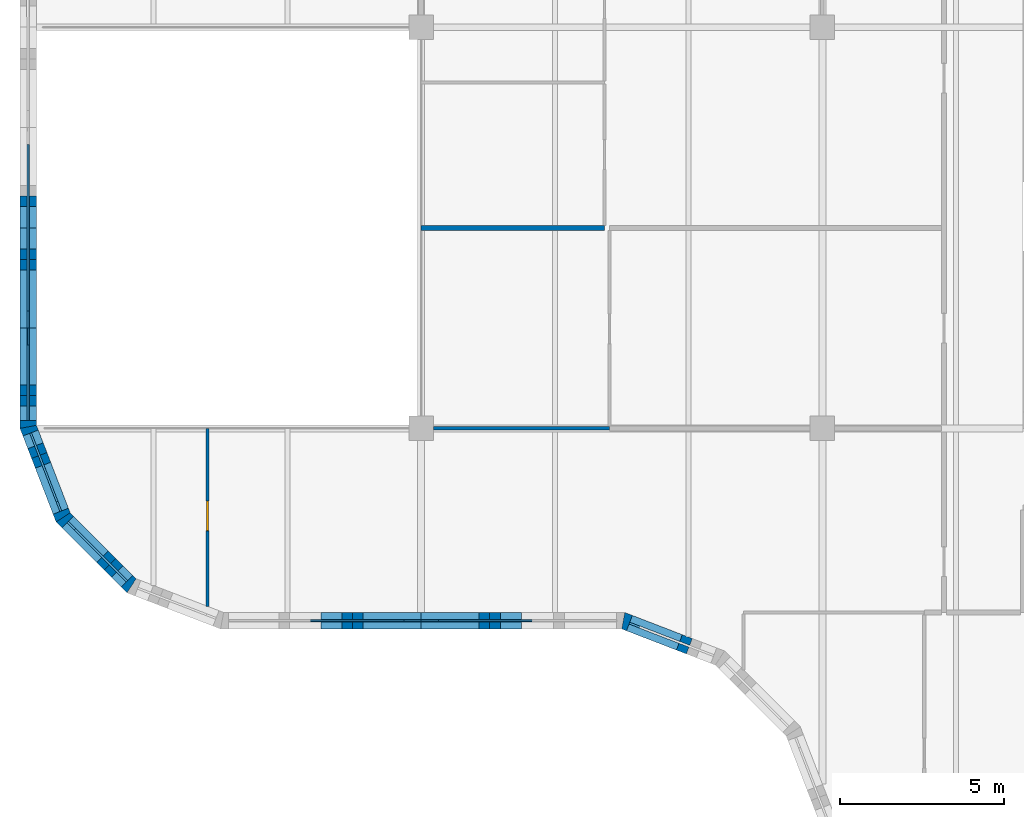
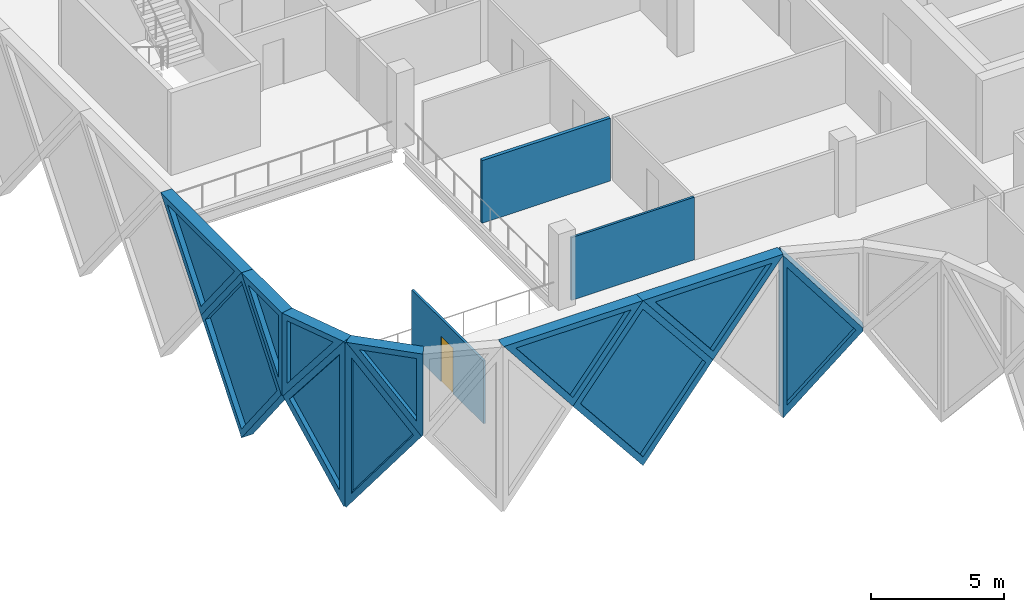
# One storey, part 4 of 15: 14 walls, 11 plates, 1 door, 12 openings.
"""IFC4 building model written with IfcOpenShell, lengths in metres."""

import ifcopenshell
import ifcopenshell.guid

model = None  # the IFC model being written
_history = None  # IfcOwnerHistory: only IFC2X3 demands one
_inside = {}  # id of a spatial element -> (the spatial element, [elements in it])
_under = {}  # id of a project, library or spatial element -> (it, [spatial elements below it])
_declared = {}  # id of a project -> (the project, [libraries it declares])
_typed = {}  # id of a type object -> (the type object, [elements of that type])
_made_of = {}  # id of a material, layer set ... -> (it, [elements and type objects made of it])


def new_model(schema):
    """Start an empty IFC model of exactly this schema.

    Asked for "IFC4X3", IfcOpenShell would pick the latest addendum, in which some entities
    have other attributes; the version numbers below select the first issue.
    IFC2X3 requires an IfcOwnerHistory on every rooted entity: one is made here for all.
    """
    global model, _history
    if schema == "IFC4X3":
        model = ifcopenshell.file(schema_version=(4, 3, 0, 0))
    else:
        model = ifcopenshell.file(schema=schema)
    _inside.clear()
    _under.clear()
    _declared.clear()
    _typed.clear()
    _made_of.clear()
    _history = None
    if model.schema == "IFC2X3":
        org = make("IfcOrganization", Name="unknown")
        user = make(
            "IfcPersonAndOrganization",
            ThePerson=make("IfcPerson", FamilyName="unknown"),
            TheOrganization=org,
        )
        app = make(
            "IfcApplication",
            ApplicationDeveloper=org,
            Version="unknown",
            ApplicationFullName="unknown",
            ApplicationIdentifier="unknown",
        )
        _history = make(
            "IfcOwnerHistory",
            OwningUser=user,
            OwningApplication=app,
            ChangeAction="ADDED",
            CreationDate=0,
        )
    return model


def make(cls, **values):
    """One entity of the class cls with the attributes given. An attribute that is None is left unset."""
    return model.create_entity(
        cls, **{name: value for name, value in values.items() if value is not None}
    )


def rooted(cls, **values):
    """An entity with a GlobalId (a new one), such as an element, a storey or a relation."""
    return make(cls, GlobalId=ifcopenshell.guid.new(), OwnerHistory=_history, **values)


def si_unit(unit_type, name, prefix=None):
    """IfcSIUnit, for example si_unit("LENGTHUNIT", "METRE", prefix="MILLI")."""
    return make("IfcSIUnit", UnitType=unit_type, Prefix=prefix, Name=name)


def assignment(units):
    """IfcUnitAssignment: the units of a project."""
    return None if units is None else make("IfcUnitAssignment", Units=units)


def point(xyz):
    """IfcCartesianPoint."""
    return None if xyz is None else make("IfcCartesianPoint", Coordinates=xyz)


def direction(xyz):
    """IfcDirection."""
    return None if xyz is None else make("IfcDirection", DirectionRatios=xyz)


def frame(location, z_axis=None, x_axis=None):
    """IfcAxis2Placement3D, a coordinate frame: its origin and axes. An axis left out is left unset."""
    return make(
        "IfcAxis2Placement3D",
        Location=point(location),
        Axis=direction(z_axis),
        RefDirection=direction(x_axis),
    )


def frame_2d(location, x_axis=None):
    """IfcAxis2Placement2D, a coordinate frame in the plane: its origin and x axis."""
    return make(
        "IfcAxis2Placement2D", Location=point(location), RefDirection=direction(x_axis)
    )


def origin():
    """The frame at (0, 0, 0) with its axes left unset."""
    return frame((0.0, 0.0, 0.0))


def place(relative_to, where):
    """IfcLocalPlacement: puts the frame where relative to a parent placement (None: the world)."""
    return make(
        "IfcLocalPlacement", PlacementRelTo=relative_to, RelativePlacement=where
    )


def context(
    kind, dimensions, precision=None, world=None, true_north=None, identifier=None
):
    """IfcGeometricRepresentationContext, for example the 3D "Model" context."""
    return make(
        "IfcGeometricRepresentationContext",
        ContextIdentifier=identifier,
        ContextType=kind,
        CoordinateSpaceDimension=dimensions,
        Precision=precision,
        WorldCoordinateSystem=world,
        TrueNorth=true_north,
    )


def subcontext(parent, identifier, kind, view, scale=None):
    """IfcGeometricRepresentationSubContext, for example "Body" below "Model"."""
    return make(
        "IfcGeometricRepresentationSubContext",
        ContextIdentifier=identifier,
        ContextType=kind,
        ParentContext=parent,
        TargetScale=scale,
        TargetView=view,
    )


def project(units=None, contexts=None):
    """IfcProject with its units and contexts."""
    return rooted(
        "IfcProject",
        Name="project",
        RepresentationContexts=contexts,
        UnitsInContext=assignment(units),
    )


def spatial(cls, under=None, at=None, **own):
    """A site, building, storey or space (cls), placed at a placement, below another one or the project."""
    s = rooted(cls, ObjectPlacement=at, **own)
    if under is not None:
        _under.setdefault(under.id(), (under, []))[1].append(s)
    return s


def polyline(points):
    """IfcPolyline through the points."""
    return make("IfcPolyline", Points=[point(p) for p in points])


def profile(cls, at=None, kind="AREA", **sizes):
    """A parametric profile (cls). Its sizes go by their IFC names, for example OverallWidth=200.0."""
    return make(cls, ProfileType=kind, Position=at, **sizes)


def rectangle(**sizes):
    """IfcRectangleProfileDef."""
    return profile("IfcRectangleProfileDef", **sizes)


def outline(outer, holes=None, kind="AREA"):
    """IfcArbitraryClosedProfileDef: a profile drawn as a closed curve; with holes, ...WithVoids."""
    if holes is None:
        return make("IfcArbitraryClosedProfileDef", ProfileType=kind, OuterCurve=outer)
    return make(
        "IfcArbitraryProfileDefWithVoids",
        ProfileType=kind,
        OuterCurve=outer,
        InnerCurves=holes,
    )


def extrude(swept, where, along, depth):
    """IfcExtrudedAreaSolid: the profile swept, set in the frame where, extruded along a direction by depth."""
    return make(
        "IfcExtrudedAreaSolid",
        SweptArea=swept,
        Position=where,
        ExtrudedDirection=direction(along),
        Depth=depth,
    )


def faces_of(points, faces, orient=None, outer=None):
    """IfcFace entities. A face is a list of loops; a loop is a list of indices into points, from 0.

    orient and outer hold one flag for each loop. By default every Orientation is true, the
    first loop of a face is its IfcFaceOuterBound and the others are IfcFaceBound.
    """
    made = []
    for i, loops in enumerate(faces):
        bounds = []
        for j, loop in enumerate(loops):
            is_outer = j == 0 if outer is None else outer[i][j]
            bounds.append(
                make(
                    "IfcFaceOuterBound" if is_outer else "IfcFaceBound",
                    Bound=make("IfcPolyLoop", Polygon=[points[k] for k in loop]),
                    Orientation=True if orient is None else orient[i][j],
                )
            )
        made.append(make("IfcFace", Bounds=bounds))
    return made


def faceted_brep(points, faces, orient=None, outer=None, voids=None):
    """IfcFacetedBrep: a solid bounded by flat faces; with voids (closed shells), ...WithVoids."""
    shared = [point(p) for p in points]
    hull = make("IfcClosedShell", CfsFaces=faces_of(shared, faces, orient, outer))
    if voids is None:
        return make("IfcFacetedBrep", Outer=hull)
    return make(
        "IfcFacetedBrepWithVoids",
        Outer=hull,
        Voids=[
            make(cls, CfsFaces=faces_of(shared, fs, o, b)) for cls, fs, o, b in voids
        ],
    )


def shape(context_of_items, identifier, shape_type, items):
    """IfcShapeRepresentation: the items that make up one representation, for example the "Body"."""
    return make(
        "IfcShapeRepresentation",
        ContextOfItems=context_of_items,
        RepresentationIdentifier=identifier,
        RepresentationType=shape_type,
        Items=items,
    )


def source(mapping_origin, context_of_items, identifier, shape_type, items):
    """IfcRepresentationMap: a shape defined once, which mapped items show again and again."""
    return make(
        "IfcRepresentationMap",
        MappingOrigin=mapping_origin,
        MappedRepresentation=shape(context_of_items, identifier, shape_type, items),
    )


def transform(
    local_origin,
    x_axis=None,
    y_axis=None,
    z_axis=None,
    scale=None,
    scale2=None,
    scale3=None,
    uniform=True,
):
    """IfcCartesianTransformationOperator3D, or its non-uniform kind. x_axis, y_axis, z_axis: its Axis1, 2, 3."""
    if uniform:
        return make(
            "IfcCartesianTransformationOperator3D",
            Axis1=direction(x_axis),
            Axis2=direction(y_axis),
            LocalOrigin=point(local_origin),
            Scale=scale,
            Axis3=direction(z_axis),
        )
    return make(
        "IfcCartesianTransformationOperator3DnonUniform",
        Axis1=direction(x_axis),
        Axis2=direction(y_axis),
        LocalOrigin=point(local_origin),
        Scale=scale,
        Axis3=direction(z_axis),
        Scale2=scale2,
        Scale3=scale3,
    )


def mapped(mapping_source, mapping_target):
    """IfcMappedItem: shows the shape of a source again, moved by a transform."""
    return make(
        "IfcMappedItem", MappingSource=mapping_source, MappingTarget=mapping_target
    )


def material(Name=None, Category=None):
    """IfcMaterial."""
    return make("IfcMaterial", Name=Name, Category=Category)


def layer(
    of_material, thickness, ventilated=None, Name=None, Category=None, Priority=None
):
    """IfcMaterialLayer: one layer of a wall or slab, of a material (None: an air gap)."""
    return make(
        "IfcMaterialLayer",
        Material=of_material,
        LayerThickness=thickness,
        IsVentilated=ventilated,
        Name=Name,
        Category=Category,
        Priority=Priority,
    )


def layer_set(layers, Name=None):
    """IfcMaterialLayerSet."""
    return make("IfcMaterialLayerSet", MaterialLayers=layers, LayerSetName=Name)


def made_of(thing, what):
    """Note that an element or type object is made of a material, layer set ...; save() writes the relation."""
    if what is not None:
        _made_of.setdefault(what.id(), (what, []))[1].append(thing)
    return thing


def type_object(cls, material=None, **own):
    """A type object (cls), such as IfcWallType, which elements share."""
    return made_of(rooted(cls, **own), material)


def element(
    cls,
    number,
    at=None,
    inside=None,
    cuts=None,
    type_object=None,
    material=None,
    context=None,
    identifier="Body",
    shape_type=None,
    held_by="IfcProductDefinitionShape",
    body=None,
    shapes=None,
    **own,
):
    """One element of the class cls, such as IfcWall. Its Tag is "e" and its number.

    at: its placement. inside: the storey or other place that contains it. cuts: it is an
    opening in that element (IfcRelVoidsElement). A single representation is given by context,
    identifier, shape_type and body (its items); several are given by shapes. held_by: the class
    of the entity that holds the representations. save() writes the other relations.
    """
    e = rooted(cls, Tag="e%d" % number, ObjectPlacement=at, **own)
    if body is not None:
        shapes = [shape(context, identifier, shape_type, body)]
    if shapes is not None:
        e.Representation = make(held_by, Representations=shapes)
    if inside is not None:
        _inside.setdefault(inside.id(), (inside, []))[1].append(e)
    if cuts is not None:
        rooted(
            "IfcRelVoidsElement", RelatingBuildingElement=cuts, RelatedOpeningElement=e
        )
    if type_object is not None:
        _typed.setdefault(type_object.id(), (type_object, []))[1].append(e)
    return made_of(e, material)


def fill(opening, filler):
    """IfcRelFillsElement: the door or window that sits in an opening."""
    return rooted(
        "IfcRelFillsElement",
        RelatingOpeningElement=opening,
        RelatedBuildingElement=filler,
    )


def aggregate(whole, parts):
    """IfcRelAggregates: a whole, such as a stair, and the parts it consists of."""
    return rooted("IfcRelAggregates", RelatingObject=whole, RelatedObjects=parts)


def save(model, path):
    """Write the relations noted so far, then the file.

    IfcRelAggregates (storeys below a building ...), IfcRelContainedInSpatialStructure (elements
    in a storey), IfcRelDefinesByType, IfcRelAssociatesMaterial and IfcRelDeclares: one each for
    every whole, place, type object, material and project.
    """
    for whole, parts in _under.values():
        aggregate(whole, parts)
    for where, things in _inside.values():
        rooted(
            "IfcRelContainedInSpatialStructure",
            RelatedElements=things,
            RelatingStructure=where,
        )
    for kind, things in _typed.values():
        rooted("IfcRelDefinesByType", RelatedObjects=things, RelatingType=kind)
    for what, things in _made_of.values():
        rooted("IfcRelAssociatesMaterial", RelatedObjects=things, RelatingMaterial=what)
    for by, libraries in _declared.values():
        rooted("IfcRelDeclares", RelatingContext=by, RelatedDefinitions=libraries)
    model.write(path)


model = new_model("IFC4")

# Units and contexts
model_context = context("Model", 3, precision=1e-05, world=origin(), true_north=direction((0.0, 1.0)))
body_context = subcontext(model_context, "Body", "Model", "MODEL_VIEW")
ifc_project = project(units=[si_unit("LENGTHUNIT", "METRE"), si_unit("AREAUNIT", "SQUARE_METRE"), si_unit("VOLUMEUNIT", "CUBIC_METRE"), si_unit("PLANEANGLEUNIT", "RADIAN"), si_unit("MASSUNIT", "GRAM", prefix="KILO")], contexts=[model_context])

# Site, building, storey
site_placement = place(None, origin())
site = spatial("IfcSite", under=ifc_project, at=site_placement, CompositionType="ELEMENT")
building_placement = place(site_placement, origin())
building = spatial("IfcBuilding", under=site, at=building_placement, Name="Tessera Gate Towers", CompositionType="ELEMENT")
storey_placement = place(building_placement, frame((0.0, 0.0, 228.300048828125)))
storey = spatial("IfcBuildingStorey", under=building, at=storey_placement, Name="L57", CompositionType="ELEMENT", Elevation=228.300048828125)

# Wall, opening, door
ifc_material_1 = material(Name="Glass", Category="glass")
ifc_layer_1 = layer(ifc_material_1, 0.10009765625)
ifc_layer_set_1 = layer_set([ifc_layer_1], Name="GLAZED PARTITION 100")
wall_type_1 = type_object("IfcWallType", Name="GLAZED PARTITION 100", PredefinedType="PARTITIONING", material=ifc_layer_set_1)
wall_1_placement = place(storey_placement, frame((5.699951171875, 18.990234375, 0.0), z_axis=(0.0, 0.0, 1.0), x_axis=(0.0, 1.0, 0.0)))
wall_1 = element("IfcWall", 1, at=wall_1_placement, inside=storey, type_object=wall_type_1, Name="T1-L57-PW-017", PredefinedType="PARTITIONING", context=body_context, shape_type="SweptSolid", body=[
    extrude(rectangle(XDim=5.40966796875, YDim=0.10009765625, at=frame_2d((2.704833984375, 0.0))), origin(), (0.0, 0.0, 1.0), 2.887939453125),
])
shared_shape_1 = source(origin(), body_context, "Body", "SweptSolid", [
    extrude(rectangle(XDim=0.89990234375, YDim=2.10009765625, at=frame_2d((0.449951171875, 1.050048828125))), frame((0.0, 0.06005859375, 0.0), z_axis=(0.0, -1.0, 0.0), x_axis=(1.0, 0.0, 0.0)), (0.0, 0.0, 1.0), 0.1201171875),
])
opening_1_placement = place(wall_1_placement, frame((2.300048828125, 0.0, 0.0)))
opening_1 = element("IfcOpeningElement", 2, at=opening_1_placement, cuts=wall_1, Name="Opening D690-A20-03", PredefinedType="OPENING", context=body_context, shape_type="MappedRepresentation", body=[
    mapped(shared_shape_1, transform((0.0, 0.0, 0.0), scale=1.0)),
])
ifc_material_2 = material(Name="Glass in aluminium frame", Category="aluminium")
door_type = type_object("IfcDoorType", Name="GLAZED DOOR 900 NOT RATED", OperationType="NOTDEFINED", PredefinedType="DOOR", material=ifc_material_2)
shared_shape_2 = source(origin(), body_context, "Body", "SweptSolid", [
    extrude(rectangle(XDim=0.89990234375, YDim=2.10009765625, at=frame_2d((0.449951171875, 1.050048828125))), frame((0.0, 0.02490234375, 0.0), z_axis=(0.0, -1.0, 0.0), x_axis=(1.0, 0.0, 0.0)), (0.0, 0.0, 1.0), 0.050048828125),
])
door_placement = place(opening_1_placement, origin())
door = element("IfcDoor", 3, at=door_placement, inside=storey, type_object=door_type, Name="T1-L57-PD-009", OperationType="SINGLE_SWING_LEFT", OverallHeight=2.10009765625, OverallWidth=0.89990234375, PredefinedType="DOOR", context=body_context, shape_type="MappedRepresentation", body=[
    mapped(shared_shape_2, transform((0.0, 0.0, 0.0), scale=1.0)),
])
fill(opening_1, door)

# Walls
wall_2_placement = place(storey_placement, frame((12.575927734375, 24.39990234375, 0.0), z_axis=(0.0, 0.0, 1.0), x_axis=(1.0, 0.0, 0.0)))
element("IfcWall", 4, at=wall_2_placement, inside=storey, type_object=wall_type_1, Name="T1-L57-PW-022", PredefinedType="PARTITIONING", context=body_context, shape_type="SweptSolid", body=[
    extrude(rectangle(XDim=5.34814453125, YDim=0.10009765625, at=frame_2d((2.674072265625, 0.0))), origin(), (0.0, 0.0, 1.0), 2.887939453125),
])
ifc_material_3 = material(Name="Gypsum board on steel studs, mineral wool", Category="steel")
ifc_layer_2 = layer(ifc_material_3, 0.14990234375)
ifc_layer_set_2 = layer_set([ifc_layer_2], Name="TENANCY WALL 150")
wall_type_2 = type_object("IfcWallType", Name="TENANCY WALL 150", PredefinedType="PARTITIONING", material=ifc_layer_set_2)
wall_3_placement = place(storey_placement, frame((12.199951171875, 30.5, 0.0), z_axis=(0.0, 0.0, 1.0), x_axis=(1.0, 0.0, 0.0)))
element("IfcWall", 5, at=wall_3_placement, inside=storey, type_object=wall_type_2, Name="T1-L57-PW-026", PredefinedType="PARTITIONING", context=body_context, shape_type="SweptSolid", body=[
    extrude(rectangle(XDim=5.574951171875, YDim=0.14990234375, at=frame_2d((2.78759765625, 0.0))), origin(), (0.0, 0.0, 1.0), 2.887939453125),
])

# Wall, opening, plate
ifc_material_4 = material(Name="Precast concrete C60/75 white", Category="concrete")
ifc_layer_3 = layer(ifc_material_4, 0.5)
ifc_layer_set_3 = layer_set([ifc_layer_3], Name="TS1 tessera")
wall_type_3 = type_object("IfcWallType", Name="TS1 tessera", PredefinedType="SOLIDWALL", material=ifc_layer_set_3)
shared_shape_3 = source(origin(), body_context, "Body", "SweptSolid", [
    extrude(outline(polyline([(3.050048828125, 0.0), (6.10009765625, 3.800048828125), (3.050048828125, 7.60009765625), (0.0, 3.800048828125), (3.050048828125, 0.0)])), frame((0.0, 0.25, 0.0), z_axis=(0.0, -1.0, 0.0), x_axis=(1.0, 0.0, 0.0)), (0.0, 0.0, 1.0), 0.5),
])
wall_4_placement = place(storey_placement, frame((9.14990234375, 18.550048828125, -3.800048828125), z_axis=(0.0, 0.0, 1.0), x_axis=(1.0, 0.0, 0.0)))
wall_4 = element("IfcWall", 6, at=wall_4_placement, inside=storey, type_object=wall_type_3, Name="Precast tessera T1 TS1-1033", PredefinedType="SOLIDWALL", context=body_context, shape_type="MappedRepresentation", body=[
    mapped(shared_shape_3, transform((0.0, 0.0, 0.0), scale=1.0)),
])
shared_shape_4 = source(origin(), body_context, "Body", "SweptSolid", [
    extrude(outline(polyline([(3.050048828125, 0.3994140625), (5.779541015625, 3.800048828125), (3.050048828125, 7.20068359375), (0.320556640625, 3.800048828125), (3.050048828125, 0.3994140625)])), frame((0.0, 0.260009765625, 0.0), z_axis=(0.0, -1.0, 0.0), x_axis=(1.0, 0.0, 0.0)), (0.0, 0.0, 1.0), 0.52001953125),
])
opening_2_placement = place(wall_4_placement, origin())
opening_2 = element("IfcOpeningElement", 7, at=opening_2_placement, cuts=wall_4, Name="Opening T1-PL2-2107", PredefinedType="OPENING", context=body_context, shape_type="MappedRepresentation", body=[
    mapped(shared_shape_4, transform((0.0, 0.0, 0.0), scale=1.0)),
])
ifc_material_5 = material(Name="Low-e laminated glass", Category="glass")
ifc_layer_4 = layer(ifc_material_5, 0.06005859375)
ifc_layer_set_4 = layer_set([ifc_layer_4], Name="PL2 rhombic pane")
plate_type_1 = type_object("IfcPlateType", Name="PL2 rhombic pane", PredefinedType="SHEET", material=ifc_layer_set_4)
shared_shape_5 = source(origin(), body_context, "Body", "SweptSolid", [
    extrude(outline(polyline([(3.050048828125, 0.3994140625), (5.779541015625, 3.800048828125), (3.050048828125, 7.20068359375), (0.320556640625, 3.800048828125), (3.050048828125, 0.3994140625)])), frame((0.0, 0.030029296875, 0.0), z_axis=(0.0, -1.0, 0.0), x_axis=(1.0, 0.0, 0.0)), (0.0, 0.0, 1.0), 0.06005859375),
])
plate_1_placement = place(opening_2_placement, origin())
plate_1 = element("IfcPlate", 8, at=plate_1_placement, inside=storey, type_object=plate_type_1, Name="Glass pane T1 PL2-2107", PredefinedType="SHEET", context=body_context, shape_type="MappedRepresentation", body=[
    mapped(shared_shape_5, transform((0.0, 0.0, 0.0), scale=1.0)),
])
fill(opening_2, plate_1)

shared_shape_6 = source(origin(), body_context, "Body", "Brep", [
    faceted_brep([(3.050048828125, -0.25, 0.0), (6.053466796875, -0.25, 3.800048828125), (3.050048828125, -0.25, 7.60009765625), (0.0, -0.25, 3.800048828125), (0.0, 0.25, 3.800048828125), (3.050048828125, 0.25, 7.60009765625), (6.0068359375, 0.25, 3.85888671875), (6.0068359375, 0.25, 3.7412109375), (3.050048828125, 0.25, 0.0), (6.053466796875, 0.0, 3.800048828125)], [[[0, 1, 2, 3]], [[4, 5, 6, 7, 8]], [[8, 7, 9, 1, 0]], [[6, 5, 2, 1, 9]], [[5, 4, 3, 2]], [[4, 8, 0, 3]], [[9, 7, 6]]]),
])
wall_5_placement = place(storey_placement, frame((0.25, 30.5, -3.800048828125), z_axis=(0.0, 0.0, 1.0), x_axis=(0.0, -1.0, 0.0)))
wall_5 = element("IfcWall", 9, at=wall_5_placement, inside=storey, type_object=wall_type_3, Name="Precast tessera T1 TS1-1032", PredefinedType="SOLIDWALL", context=body_context, shape_type="MappedRepresentation", body=[
    mapped(shared_shape_6, transform((0.0, 0.0, 0.0), scale=1.0)),
])
shared_shape_7 = source(origin(), body_context, "Body", "SweptSolid", [
    extrude(outline(polyline([(3.048583984375, 0.4013671875), (5.73486328125, 3.800048828125), (3.048583984375, 7.19873046875), (0.320556640625, 3.800048828125), (3.048583984375, 0.4013671875)])), frame((0.0, 0.260009765625, 0.0), z_axis=(0.0, -1.0, 0.0), x_axis=(1.0, 0.0, 0.0)), (0.0, 0.0, 1.0), 0.52001953125),
])
opening_3_placement = place(wall_5_placement, origin())
opening_3 = element("IfcOpeningElement", 10, at=opening_3_placement, cuts=wall_5, Name="Opening T1-PL2-2102", PredefinedType="OPENING", context=body_context, shape_type="MappedRepresentation", body=[
    mapped(shared_shape_7, transform((0.0, 0.0, 0.0), scale=1.0)),
])
shared_shape_8 = source(origin(), body_context, "Body", "SweptSolid", [
    extrude(outline(polyline([(3.048583984375, 0.4013671875), (5.73486328125, 3.800048828125), (3.048583984375, 7.19873046875), (0.320556640625, 3.800048828125), (3.048583984375, 0.4013671875)])), frame((0.0, 0.030029296875, 0.0), z_axis=(0.0, -1.0, 0.0), x_axis=(1.0, 0.0, 0.0)), (0.0, 0.0, 1.0), 0.06005859375),
])
plate_2_placement = place(opening_3_placement, origin())
plate_2 = element("IfcPlate", 11, at=plate_2_placement, inside=storey, type_object=plate_type_1, Name="Glass pane T1 PL2-2102", PredefinedType="SHEET", context=body_context, shape_type="MappedRepresentation", body=[
    mapped(shared_shape_8, transform((0.0, 0.0, 0.0), scale=1.0)),
])
fill(opening_3, plate_2)

ifc_material_6 = material(Name="Precast concrete C60/75 white", Category="concrete")
ifc_layer_5 = layer(ifc_material_6, 0.5)
ifc_layer_set_5 = layer_set([ifc_layer_5], Name="TS3 corner tessera")
wall_type_4 = type_object("IfcWallType", Name="TS3 corner tessera", PredefinedType="SOLIDWALL", material=ifc_layer_set_5)
shared_shape_9 = source(origin(), body_context, "Body", "Brep", [
    faceted_brep([(0.052978515625, -0.25, 0.0), (2.9970703125, -0.25, 3.800048828125), (0.052978515625, -0.25, 7.60009765625), (0.0, -0.25, 7.531982421875), (0.0, -0.25, 0.068115234375), (0.10595703125, 0.25, 7.53173828125), (2.944091796875, 0.25, 3.8681640625), (2.944091796875, 0.25, 3.73193359375), (0.10595703125, 0.25, 0.068359375), (2.9970703125, 0.000244140625, 3.800048828125), (0.052978515625, 0.0, 0.0), (0.052978515625, 0.0, 7.60009765625)], [[[0, 1, 2, 3, 4]], [[5, 6, 7, 8]], [[8, 7, 9, 1, 0, 10]], [[6, 5, 11, 2, 1, 9]], [[3, 2, 11]], [[10, 0, 4]], [[8, 10, 4, 3, 11, 5]], [[9, 7, 6]]]),
])
wall_6_placement = place(storey_placement, frame((1.2744140625, 21.731201171875, -3.800048828125), z_axis=(0.0, 0.0, 1.0), x_axis=(0.707147509625, -0.707066050402, 0.0)))
wall_6 = element("IfcWall", 12, at=wall_6_placement, inside=storey, type_object=wall_type_4, Name="Precast corner tessera T1 TS3-1336", PredefinedType="SOLIDWALL", context=body_context, shape_type="MappedRepresentation", body=[
    mapped(shared_shape_9, transform((0.0, 0.0, 0.0), scale=1.0)),
])
shared_shape_10 = source(origin(), body_context, "Body", "SweptSolid", [
    extrude(outline(polyline([(0.2529296875, 0.666259765625), (2.680908203125, 3.800048828125), (0.2529296875, 6.93359375), (0.2529296875, 0.666259765625)])), frame((0.0, 0.260009765625, 0.0), z_axis=(0.0, -1.0, 0.0), x_axis=(1.0, 0.0, 0.0)), (0.0, 0.0, 1.0), 0.52001953125),
])
opening_4_placement = place(wall_6_placement, origin())
opening_4 = element("IfcOpeningElement", 13, at=opening_4_placement, cuts=wall_6, Name="Opening T1-PL2-2104", PredefinedType="OPENING", context=body_context, shape_type="MappedRepresentation", body=[
    mapped(shared_shape_10, transform((0.0, 0.0, 0.0), scale=1.0)),
])
shared_shape_11 = source(origin(), body_context, "Body", "SweptSolid", [
    extrude(outline(polyline([(0.2529296875, 0.666259765625), (2.680908203125, 3.800048828125), (0.2529296875, 6.93359375), (0.2529296875, 0.666259765625)])), frame((0.0, 0.030029296875, 0.0), z_axis=(0.0, -1.0, 0.0), x_axis=(1.0, 0.0, 0.0)), (0.0, 0.0, 1.0), 0.06005859375),
])
plate_3_placement = place(opening_4_placement, origin())
plate_3 = element("IfcPlate", 14, at=plate_3_placement, inside=storey, type_object=plate_type_1, Name="Glass pane T1 PL2-2104", PredefinedType="SHEET", context=body_context, shape_type="MappedRepresentation", body=[
    mapped(shared_shape_11, transform((0.0, 0.0, 0.0), scale=1.0)),
])
fill(opening_4, plate_3)

shared_shape_12 = source(origin(), body_context, "Body", "Brep", [
    faceted_brep([(2.950439453125, -0.25, 0.0), (3.00341796875, -0.25, 0.068359375), (3.00341796875, -0.25, 7.53173828125), (2.950439453125, -0.25, 7.60009765625), (0.0, -0.25, 3.800048828125), (0.046630859375, 0.25, 3.860107421875), (2.897705078125, 0.25, 7.531982421875), (2.897705078125, 0.25, 0.068115234375), (0.046630859375, 0.25, 3.739990234375), (2.950439453125, 0.00048828125, 0.0), (2.950439453125, 0.00048828125, 7.60009765625), (0.0, 0.0, 3.800048828125)], [[[0, 1, 2, 3, 4]], [[5, 6, 7, 8]], [[1, 0, 9]], [[10, 3, 2]], [[6, 5, 11, 4, 3, 10]], [[8, 7, 9, 0, 4, 11]], [[8, 11, 5]], [[1, 9, 7, 6, 10, 2]]]),
])
wall_7_placement = place(storey_placement, frame((0.25, 24.446533203125, -3.800048828125), z_axis=(0.0, 0.0, 1.0), x_axis=(0.35992665181, -0.932980602862, 0.0)))
wall_7 = element("IfcWall", 15, at=wall_7_placement, inside=storey, type_object=wall_type_4, Name="Precast corner tessera T1 TS3-1335", PredefinedType="SOLIDWALL", context=body_context, shape_type="MappedRepresentation", body=[
    mapped(shared_shape_12, transform((0.0, 0.0, 0.0), scale=1.0)),
])
shared_shape_13 = source(origin(), body_context, "Body", "SweptSolid", [
    extrude(outline(polyline([(2.75048828125, 6.934814453125), (0.31640625, 3.800048828125), (2.75048828125, 0.665283203125), (2.75048828125, 6.934814453125)])), frame((0.0, 0.260009765625, 0.0), z_axis=(0.0, -1.0, 0.0), x_axis=(1.0, 0.0, 0.0)), (0.0, 0.0, 1.0), 0.52001953125),
])
opening_5_placement = place(wall_7_placement, origin())
opening_5 = element("IfcOpeningElement", 16, at=opening_5_placement, cuts=wall_7, Name="Opening T1-PL2-2103", PredefinedType="OPENING", context=body_context, shape_type="MappedRepresentation", body=[
    mapped(shared_shape_13, transform((0.0, 0.0, 0.0), scale=1.0)),
])
shared_shape_14 = source(origin(), body_context, "Body", "SweptSolid", [
    extrude(outline(polyline([(2.75048828125, 6.934814453125), (0.31640625, 3.800048828125), (2.75048828125, 0.665283203125), (2.75048828125, 6.934814453125)])), frame((0.0, 0.030029296875, 0.0), z_axis=(0.0, -1.0, 0.0), x_axis=(1.0, 0.0, 0.0)), (0.0, 0.0, 1.0), 0.06005859375),
])
plate_4_placement = place(opening_5_placement, origin())
plate_4 = element("IfcPlate", 17, at=plate_4_placement, inside=storey, type_object=plate_type_1, Name="Glass pane T1 PL2-2103", PredefinedType="SHEET", context=body_context, shape_type="MappedRepresentation", body=[
    mapped(shared_shape_14, transform((0.0, 0.0, 0.0), scale=1.0)),
])
fill(opening_5, plate_4)

shared_shape_15 = source(origin(), body_context, "Body", "Brep", [
    faceted_brep([(0.09326171875, -0.25, 0.05615234375), (3.14306640625, -0.25, 3.736328125), (3.14306640625, -0.25, 3.86376953125), (0.09326171875, -0.25, 7.5439453125), (0.0, 0.25, 7.54296875), (0.046630859375, 0.25, 7.60009765625), (3.196044921875, 0.25, 3.800048828125), (0.046630859375, 0.25, 0.0), (0.0, 0.25, 0.05712890625), (3.196044921875, -0.000244140625, 3.800048828125), (0.046630859375, 0.0, 0.0), (0.046630859375, 0.0, 7.60009765625)], [[[0, 1, 2, 3]], [[4, 5, 6, 7, 8]], [[7, 6, 9, 1, 0, 10]], [[6, 5, 11, 3, 2, 9]], [[5, 4, 11]], [[8, 7, 10]], [[8, 10, 0, 3, 11, 4]], [[1, 9, 2]]]),
])
wall_8_placement = place(storey_placement, frame((18.302978515625, 18.56689453125, -3.800048828125), z_axis=(0.0, 0.0, 1.0), x_axis=(0.932978940178, -0.359930961693, 0.0)))
wall_8 = element("IfcWall", 18, at=wall_8_placement, inside=storey, type_object=wall_type_4, Name="Precast corner tessera T1 TS3-1340", PredefinedType="SOLIDWALL", context=body_context, shape_type="MappedRepresentation", body=[
    mapped(shared_shape_15, transform((0.0, 0.0, 0.0), scale=1.0)),
])
shared_shape_16 = source(origin(), body_context, "Body", "SweptSolid", [
    extrude(outline(polyline([(0.24658203125, 0.633056640625), (2.871337890625, 3.800048828125), (0.24658203125, 6.966796875), (0.24658203125, 0.633056640625)])), frame((0.0, 0.260009765625, 0.0), z_axis=(0.0, -1.0, 0.0), x_axis=(1.0, 0.0, 0.0)), (0.0, 0.0, 1.0), 0.52001953125),
])
opening_6_placement = place(wall_8_placement, origin())
opening_6 = element("IfcOpeningElement", 19, at=opening_6_placement, cuts=wall_8, Name="Opening T1-PL2-2109", PredefinedType="OPENING", context=body_context, shape_type="MappedRepresentation", body=[
    mapped(shared_shape_16, transform((0.0, 0.0, 0.0), scale=1.0)),
])
shared_shape_17 = source(origin(), body_context, "Body", "SweptSolid", [
    extrude(outline(polyline([(0.24658203125, 0.633056640625), (2.871337890625, 3.800048828125), (0.24658203125, 6.966796875), (0.24658203125, 0.633056640625)])), frame((0.0, 0.030029296875, 0.0), z_axis=(0.0, -1.0, 0.0), x_axis=(1.0, 0.0, 0.0)), (0.0, 0.0, 1.0), 0.06005859375),
])
plate_5_placement = place(opening_6_placement, origin())
plate_5 = element("IfcPlate", 20, at=plate_5_placement, inside=storey, type_object=plate_type_1, Name="Glass pane T1 PL2-2109", PredefinedType="SHEET", context=body_context, shape_type="MappedRepresentation", body=[
    mapped(shared_shape_17, transform((0.0, 0.0, 0.0), scale=1.0)),
])
fill(opening_6, plate_5)

ifc_material_7 = material(Name="Precast concrete C60/75 white", Category="concrete")
ifc_layer_6 = layer(ifc_material_7, 0.5)
ifc_layer_set_6 = layer_set([ifc_layer_6], Name="TS2 half tessera")
wall_type_5 = type_object("IfcWallType", Name="TS2 half tessera", PredefinedType="SOLIDWALL", material=ifc_layer_set_6)
shared_shape_18 = source(origin(), body_context, "Body", "SweptSolid", [
    extrude(outline(polyline([(3.050048828125, 0.0), (6.10009765625, 3.800048828125), (0.0, 3.800048828125), (3.050048828125, 0.0)])), frame((0.0, 0.25, 0.0), z_axis=(0.0, -1.0, 0.0), x_axis=(1.0, 0.0, 0.0)), (0.0, 0.0, 1.0), 0.5),
])
wall_9_placement = place(storey_placement, frame((0.25, 33.550048828125, 0.0), z_axis=(0.0, 0.0, 1.0), x_axis=(0.0, -1.0, 0.0)))
wall_9 = element("IfcWall", 21, at=wall_9_placement, inside=storey, type_object=wall_type_5, Name="Precast half tessera T1 TS2-0273", PredefinedType="SOLIDWALL", context=body_context, shape_type="MappedRepresentation", body=[
    mapped(shared_shape_18, transform((0.0, 0.0, 0.0), scale=1.0)),
])
shared_shape_19 = source(origin(), body_context, "Body", "SweptSolid", [
    extrude(outline(polyline([(3.050048828125, 0.3994140625), (5.578857421875, 3.550048828125), (0.521240234375, 3.550048828125), (3.050048828125, 0.3994140625)])), frame((0.0, 0.260009765625, 0.0), z_axis=(0.0, -1.0, 0.0), x_axis=(1.0, 0.0, 0.0)), (0.0, 0.0, 1.0), 0.52001953125),
])
opening_7_placement = place(wall_9_placement, origin())
opening_7 = element("IfcOpeningElement", 22, at=opening_7_placement, cuts=wall_9, Name="Opening T1-PL1-0549", PredefinedType="OPENING", context=body_context, shape_type="MappedRepresentation", body=[
    mapped(shared_shape_19, transform((0.0, 0.0, 0.0), scale=1.0)),
])
ifc_material_8 = material(Name="Low-e laminated glass", Category="glass")
ifc_layer_7 = layer(ifc_material_8, 0.06005859375)
ifc_layer_set_7 = layer_set([ifc_layer_7], Name="PL1 triangular pane")
plate_type_2 = type_object("IfcPlateType", Name="PL1 triangular pane", PredefinedType="SHEET", material=ifc_layer_set_7)
shared_shape_20 = source(origin(), body_context, "Body", "SweptSolid", [
    extrude(outline(polyline([(3.050048828125, 0.3994140625), (5.578857421875, 3.550048828125), (0.521240234375, 3.550048828125), (3.050048828125, 0.3994140625)])), frame((0.0, 0.030029296875, 0.0), z_axis=(0.0, -1.0, 0.0), x_axis=(1.0, 0.0, 0.0)), (0.0, 0.0, 1.0), 0.06005859375),
])
plate_6_placement = place(opening_7_placement, origin())
plate_6 = element("IfcPlate", 23, at=plate_6_placement, inside=storey, type_object=plate_type_2, Name="Glass pane T1 PL1-0549", PredefinedType="SHEET", context=body_context, shape_type="MappedRepresentation", body=[
    mapped(shared_shape_20, transform((0.0, 0.0, 0.0), scale=1.0)),
])
fill(opening_7, plate_6)

shared_shape_21 = source(origin(), body_context, "Body", "Brep", [
    faceted_brep([(3.00341796875, -0.25, 0.0), (3.050048828125, -0.25, 0.06005859375), (3.050048828125, -0.25, 3.800048828125), (0.0, -0.25, 3.800048828125), (0.0, 0.25, 3.800048828125), (2.956787109375, 0.25, 3.800048828125), (2.956787109375, 0.25, 0.058837890625), (3.00341796875, 0.000244140625, 0.0)], [[[0, 1, 2, 3]], [[4, 5, 6]], [[1, 0, 7]], [[5, 4, 3, 2]], [[4, 6, 7, 0, 3]], [[1, 7, 6, 5, 2]]]),
])
wall_10_placement = place(storey_placement, frame((0.25, 27.449951171875, 0.0), z_axis=(0.0, 0.0, 1.0), x_axis=(0.0, -1.0, 0.0)))
wall_10 = element("IfcWall", 24, at=wall_10_placement, inside=storey, type_object=wall_type_4, Name="Precast corner tessera T1 TS3-1357", PredefinedType="SOLIDWALL", context=body_context, shape_type="MappedRepresentation", body=[
    mapped(shared_shape_21, transform((0.0, 0.0, 0.0), scale=1.0)),
])
shared_shape_22 = source(origin(), body_context, "Body", "SweptSolid", [
    extrude(outline(polyline([(2.803466796875, 3.550048828125), (0.516357421875, 3.550048828125), (2.803466796875, 0.65625), (2.803466796875, 3.550048828125)])), frame((0.0, 0.260009765625, 0.0), z_axis=(0.0, -1.0, 0.0), x_axis=(1.0, 0.0, 0.0)), (0.0, 0.0, 1.0), 0.52001953125),
])
opening_8_placement = place(wall_10_placement, origin())
opening_8 = element("IfcOpeningElement", 25, at=opening_8_placement, cuts=wall_10, Name="Opening T1-PL1-0550", PredefinedType="OPENING", context=body_context, shape_type="MappedRepresentation", body=[
    mapped(shared_shape_22, transform((0.0, 0.0, 0.0), scale=1.0)),
])
shared_shape_23 = source(origin(), body_context, "Body", "SweptSolid", [
    extrude(outline(polyline([(2.803466796875, 3.550048828125), (0.516357421875, 3.550048828125), (2.803466796875, 0.65625), (2.803466796875, 3.550048828125)])), frame((0.0, 0.030029296875, 0.0), z_axis=(0.0, -1.0, 0.0), x_axis=(1.0, 0.0, 0.0)), (0.0, 0.0, 1.0), 0.06005859375),
])
plate_7_placement = place(opening_8_placement, origin())
plate_7 = element("IfcPlate", 26, at=plate_7_placement, inside=storey, type_object=plate_type_2, Name="Glass pane T1 PL1-0550", PredefinedType="SHEET", context=body_context, shape_type="MappedRepresentation", body=[
    mapped(shared_shape_23, transform((0.0, 0.0, 0.0), scale=1.0)),
])
fill(opening_8, plate_7)

shared_shape_24 = source(origin(), body_context, "Body", "Brep", [
    faceted_brep([(0.046630859375, -0.25, 0.0), (2.9970703125, -0.25, 3.800048828125), (0.0, -0.25, 3.800048828125), (0.0, -0.25, 0.058837890625), (0.09326171875, 0.25, 3.800048828125), (2.9443359375, 0.25, 3.800048828125), (2.9443359375, 0.25, 3.73193359375), (0.09326171875, 0.25, 0.06005859375), (2.9970703125, 0.00048828125, 3.800048828125), (0.046630859375, 0.0, 0.0)], [[[0, 1, 2, 3]], [[4, 5, 6, 7]], [[7, 6, 8, 1, 0, 9]], [[5, 4, 2, 1, 8]], [[9, 0, 3]], [[7, 9, 3, 2, 4]], [[6, 5, 8]]]),
])
wall_11_placement = place(storey_placement, frame((0.233154296875, 24.489990234375, 0.0), z_axis=(0.0, 0.0, 1.0), x_axis=(0.359901446078, -0.932990326376, 0.0)))
wall_11 = element("IfcWall", 27, at=wall_11_placement, inside=storey, type_object=wall_type_4, Name="Precast corner tessera T1 TS3-1358", PredefinedType="SOLIDWALL", context=body_context, shape_type="MappedRepresentation", body=[
    mapped(shared_shape_24, transform((0.0, 0.0, 0.0), scale=1.0)),
])
shared_shape_25 = source(origin(), body_context, "Body", "SweptSolid", [
    extrude(outline(polyline([(0.24658203125, 0.665283203125), (2.486572265625, 3.550048828125), (0.24658203125, 3.550048828125), (0.24658203125, 0.665283203125)])), frame((0.0, 0.260009765625, 0.0), z_axis=(0.0, -1.0, 0.0), x_axis=(1.0, 0.0, 0.0)), (0.0, 0.0, 1.0), 0.52001953125),
])
opening_9_placement = place(wall_11_placement, origin())
opening_9 = element("IfcOpeningElement", 28, at=opening_9_placement, cuts=wall_11, Name="Opening T1-PL1-0551", PredefinedType="OPENING", context=body_context, shape_type="MappedRepresentation", body=[
    mapped(shared_shape_25, transform((0.0, 0.0, 0.0), scale=1.0)),
])
shared_shape_26 = source(origin(), body_context, "Body", "SweptSolid", [
    extrude(outline(polyline([(0.24658203125, 0.665283203125), (2.486572265625, 3.550048828125), (0.24658203125, 3.550048828125), (0.24658203125, 0.665283203125)])), frame((0.0, 0.030029296875, 0.0), z_axis=(0.0, -1.0, 0.0), x_axis=(1.0, 0.0, 0.0)), (0.0, 0.0, 1.0), 0.06005859375),
])
plate_8_placement = place(opening_9_placement, origin())
plate_8 = element("IfcPlate", 29, at=plate_8_placement, inside=storey, type_object=plate_type_2, Name="Glass pane T1 PL1-0551", PredefinedType="SHEET", context=body_context, shape_type="MappedRepresentation", body=[
    mapped(shared_shape_26, transform((0.0, 0.0, 0.0), scale=1.0)),
])
fill(opening_9, plate_8)

shared_shape_27 = source(origin(), body_context, "Body", "Brep", [
    faceted_brep([(2.944091796875, -0.25, 0.0), (2.9970703125, -0.25, 0.068115234375), (2.9970703125, -0.25, 3.800048828125), (0.0, -0.25, 3.800048828125), (0.052978515625, 0.25, 3.800048828125), (2.89111328125, 0.25, 3.800048828125), (2.89111328125, 0.25, 0.068115234375), (0.052978515625, 0.25, 3.731689453125), (2.944091796875, 0.000244140625, 0.0), (0.0, 0.0, 3.800048828125)], [[[0, 1, 2, 3]], [[4, 5, 6, 7]], [[1, 0, 8]], [[5, 4, 9, 3, 2]], [[7, 6, 8, 0, 3, 9]], [[7, 9, 4]], [[1, 8, 6, 5, 2]]]),
])
wall_12_placement = place(storey_placement, frame((1.31201171875, 21.69384765625, 0.0), z_axis=(0.0, 0.0, 1.0), x_axis=(0.707066050402, -0.707147509625, 0.0)))
wall_12 = element("IfcWall", 30, at=wall_12_placement, inside=storey, type_object=wall_type_4, Name="Precast corner tessera T1 TS3-1359", PredefinedType="SOLIDWALL", context=body_context, shape_type="MappedRepresentation", body=[
    mapped(shared_shape_27, transform((0.0, 0.0, 0.0), scale=1.0)),
])
shared_shape_28 = source(origin(), body_context, "Body", "SweptSolid", [
    extrude(outline(polyline([(2.744140625, 3.550048828125), (0.510009765625, 3.550048828125), (2.744140625, 0.666259765625), (2.744140625, 3.550048828125)])), frame((0.0, 0.260009765625, 0.0), z_axis=(0.0, -1.0, 0.0), x_axis=(1.0, 0.0, 0.0)), (0.0, 0.0, 1.0), 0.52001953125),
])
opening_10_placement = place(wall_12_placement, origin())
opening_10 = element("IfcOpeningElement", 31, at=opening_10_placement, cuts=wall_12, Name="Opening T1-PL1-0552", PredefinedType="OPENING", context=body_context, shape_type="MappedRepresentation", body=[
    mapped(shared_shape_28, transform((0.0, 0.0, 0.0), scale=1.0)),
])
shared_shape_29 = source(origin(), body_context, "Body", "SweptSolid", [
    extrude(outline(polyline([(2.744140625, 3.550048828125), (0.510009765625, 3.550048828125), (2.744140625, 0.666259765625), (2.744140625, 3.550048828125)])), frame((0.0, 0.030029296875, 0.0), z_axis=(0.0, -1.0, 0.0), x_axis=(1.0, 0.0, 0.0)), (0.0, 0.0, 1.0), 0.06005859375),
])
plate_9_placement = place(opening_10_placement, origin())
plate_9 = element("IfcPlate", 32, at=plate_9_placement, inside=storey, type_object=plate_type_2, Name="Glass pane T1 PL1-0552", PredefinedType="SHEET", context=body_context, shape_type="MappedRepresentation", body=[
    mapped(shared_shape_29, transform((0.0, 0.0, 0.0), scale=1.0)),
])
fill(opening_10, plate_9)

shared_shape_30 = source(origin(), body_context, "Body", "Brep", [
    faceted_brep([(3.00341796875, -0.25, 0.0), (6.053466796875, -0.25, 3.800048828125), (0.0, -0.25, 3.800048828125), (0.046630859375, 0.25, 3.800048828125), (6.053466796875, 0.25, 3.800048828125), (3.00341796875, 0.25, 0.0), (0.046630859375, 0.25, 3.7412109375), (0.0, 0.0, 3.800048828125)], [[[0, 1, 2]], [[3, 4, 5, 6]], [[5, 4, 1, 0]], [[4, 3, 7, 2, 1]], [[6, 5, 0, 2, 7]], [[6, 7, 3]]]),
])
wall_13_placement = place(storey_placement, frame((6.146484375, 18.550048828125, 0.0), z_axis=(0.0, 0.0, 1.0), x_axis=(1.0, 0.0, 0.0)))
wall_13 = element("IfcWall", 33, at=wall_13_placement, inside=storey, type_object=wall_type_5, Name="Precast half tessera T1 TS2-0274", PredefinedType="SOLIDWALL", context=body_context, shape_type="MappedRepresentation", body=[
    mapped(shared_shape_30, transform((0.0, 0.0, 0.0), scale=1.0)),
])
shared_shape_31 = source(origin(), body_context, "Body", "SweptSolid", [
    extrude(outline(polyline([(3.0048828125, 0.401123046875), (5.5322265625, 3.550048828125), (0.516357421875, 3.550048828125), (3.0048828125, 0.401123046875)])), frame((0.0, 0.260009765625, 0.0), z_axis=(0.0, -1.0, 0.0), x_axis=(1.0, 0.0, 0.0)), (0.0, 0.0, 1.0), 0.52001953125),
])
opening_11_placement = place(wall_13_placement, origin())
opening_11 = element("IfcOpeningElement", 34, at=opening_11_placement, cuts=wall_13, Name="Opening T1-PL1-0554", PredefinedType="OPENING", context=body_context, shape_type="MappedRepresentation", body=[
    mapped(shared_shape_31, transform((0.0, 0.0, 0.0), scale=1.0)),
])
shared_shape_32 = source(origin(), body_context, "Body", "SweptSolid", [
    extrude(outline(polyline([(3.0048828125, 0.401123046875), (5.5322265625, 3.550048828125), (0.516357421875, 3.550048828125), (3.0048828125, 0.401123046875)])), frame((0.0, 0.030029296875, 0.0), z_axis=(0.0, -1.0, 0.0), x_axis=(1.0, 0.0, 0.0)), (0.0, 0.0, 1.0), 0.06005859375),
])
plate_10_placement = place(opening_11_placement, origin())
plate_10 = element("IfcPlate", 35, at=plate_10_placement, inside=storey, type_object=plate_type_2, Name="Glass pane T1 PL1-0554", PredefinedType="SHEET", context=body_context, shape_type="MappedRepresentation", body=[
    mapped(shared_shape_32, transform((0.0, 0.0, 0.0), scale=1.0)),
])
fill(opening_11, plate_10)

shared_shape_33 = source(origin(), body_context, "Body", "Brep", [
    faceted_brep([(3.050048828125, -0.25, 0.0), (6.10009765625, -0.25, 3.742919921875), (6.10009765625, -0.25, 3.800048828125), (0.0, -0.25, 3.800048828125), (0.0, 0.25, 3.800048828125), (6.146484375, 0.25, 3.800048828125), (3.050048828125, 0.25, 0.0), (6.146484375, -0.000244140625, 3.800048828125)], [[[0, 1, 2, 3]], [[4, 5, 6]], [[6, 5, 7, 1, 0]], [[5, 4, 3, 2, 7]], [[4, 6, 0, 3]], [[1, 7, 2]]]),
])
wall_14_placement = place(storey_placement, frame((12.199951171875, 18.550048828125, 0.0), z_axis=(0.0, 0.0, 1.0), x_axis=(1.0, 0.0, 0.0)))
wall_14 = element("IfcWall", 36, at=wall_14_placement, inside=storey, type_object=wall_type_5, Name="Precast half tessera T1 TS2-0275", PredefinedType="SOLIDWALL", context=body_context, shape_type="MappedRepresentation", body=[
    mapped(shared_shape_33, transform((0.0, 0.0, 0.0), scale=1.0)),
])
shared_shape_34 = source(origin(), body_context, "Body", "SweptSolid", [
    extrude(outline(polyline([(3.051513671875, 0.3974609375), (5.620361328125, 3.550048828125), (0.521240234375, 3.550048828125), (3.051513671875, 0.3974609375)])), frame((0.0, 0.260009765625, 0.0), z_axis=(0.0, -1.0, 0.0), x_axis=(1.0, 0.0, 0.0)), (0.0, 0.0, 1.0), 0.52001953125),
])
opening_12_placement = place(wall_14_placement, origin())
opening_12 = element("IfcOpeningElement", 37, at=opening_12_placement, cuts=wall_14, Name="Opening T1-PL1-0555", PredefinedType="OPENING", context=body_context, shape_type="MappedRepresentation", body=[
    mapped(shared_shape_34, transform((0.0, 0.0, 0.0), scale=1.0)),
])
shared_shape_35 = source(origin(), body_context, "Body", "SweptSolid", [
    extrude(outline(polyline([(3.051513671875, 0.3974609375), (5.620361328125, 3.550048828125), (0.521240234375, 3.550048828125), (3.051513671875, 0.3974609375)])), frame((0.0, 0.030029296875, 0.0), z_axis=(0.0, -1.0, 0.0), x_axis=(1.0, 0.0, 0.0)), (0.0, 0.0, 1.0), 0.06005859375),
])
plate_11_placement = place(opening_12_placement, origin())
plate_11 = element("IfcPlate", 38, at=plate_11_placement, inside=storey, type_object=plate_type_2, Name="Glass pane T1 PL1-0555", PredefinedType="SHEET", context=body_context, shape_type="MappedRepresentation", body=[
    mapped(shared_shape_35, transform((0.0, 0.0, 0.0), scale=1.0)),
])
fill(opening_12, plate_11)

save(model, "model.ifc")
